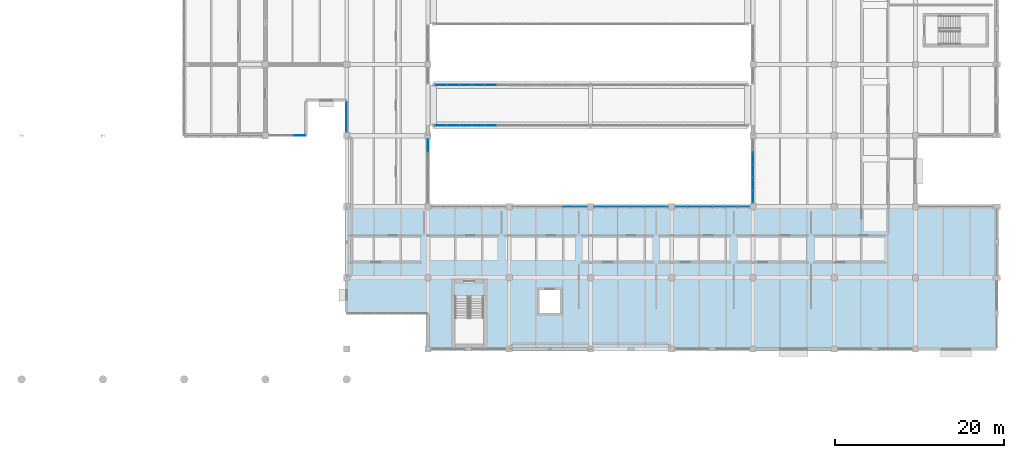
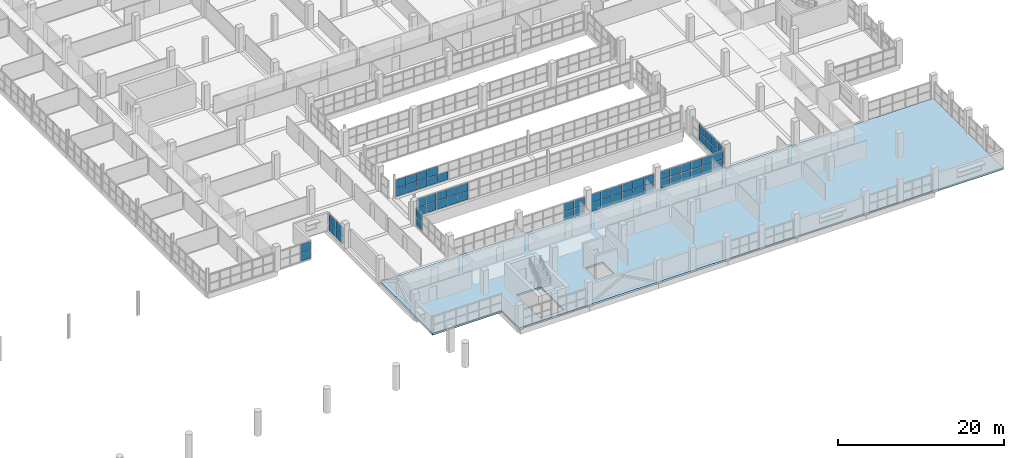
# One storey, part 99 of 147: 63 plates, 1 slab, 9 elements without a shape of their own.
"""IFC4 building model written with IfcOpenShell, lengths in metres."""

from ifc_helpers import new_model, si_unit, direction, frame, origin, origin_2d, place, context, subcontext, project, spatial, polyline, rectangle, outline, extrude, material, layer, layer_set, type_object, element, aggregate, save


model = new_model("IFC4")

# Units and contexts
model_context = context("Model", 3, precision=1e-05, world=origin(), true_north=direction((0.0, 1.0)))
body_context = subcontext(model_context, "Body", "Model", "MODEL_VIEW")
ifc_project = project(units=[si_unit("LENGTHUNIT", "METRE"), si_unit("AREAUNIT", "SQUARE_METRE"), si_unit("VOLUMEUNIT", "CUBIC_METRE"), si_unit("PLANEANGLEUNIT", "RADIAN"), si_unit("MASSUNIT", "GRAM", prefix="KILO")], contexts=[model_context])

# Site, building, storey
site_placement = place(None, origin())
site = spatial("IfcSite", under=ifc_project, at=site_placement, CompositionType="ELEMENT")
building_placement = place(site_placement, origin())
building = spatial("IfcBuilding", under=site, at=building_placement, Name="Oolite Switchyard Hospital", CompositionType="ELEMENT")
storey_placement = place(building_placement, frame((0.0, 0.0, 9.89990234375)))
storey = spatial("IfcBuildingStorey", under=building, at=storey_placement, Name="L02", CompositionType="ELEMENT", Elevation=9.89990234375)

# Curtain wall, plates
ifc_material_1 = material(Name="Thermally broken aluminum frame with laminated impact glazing", Category="aluminium")
curtain_wall_type_1 = type_object("IfcCurtainWallType", Name="CW-UNIT-96X36", PredefinedType="USERDEFINED", material=ifc_material_1)
curtain_wall_1_placement = place(storey_placement, origin())
curtain_wall_1 = element("IfcCurtainWall", 1, at=curtain_wall_1_placement, inside=storey, type_object=curtain_wall_type_1, Name="L02 Unitised Curtain Wall 218", ObjectType="UNITISED", PredefinedType="USERDEFINED")
ifc_material_2 = material(Name="Insulated fluoropolymer-coated aluminum spandrel panel", Category="aluminium")
ifc_layer_1 = layer(ifc_material_2, 0.054931640625)
ifc_layer_set_1 = layer_set([ifc_layer_1], Name="CW-PNL-SPN55")
plate_type_1 = type_object("IfcPlateType", Name="CW-PNL-SPN55", PredefinedType="CURTAIN_PANEL", material=ifc_layer_set_1)
plate_1_placement = place(storey_placement, frame((164.342529296875, 25.199951171875, 0.06005859375), z_axis=(0.0, 0.0, 1.0), x_axis=(1.0, 0.0, 0.0)))
plate_1 = element("IfcPlate", 2, at=plate_1_placement, type_object=plate_type_1, Name="CW-03 panel 1.1", PredefinedType="CURTAIN_PANEL", context=body_context, shape_type="SweptSolid", body=[
    extrude(rectangle(XDim=1.364990234375, YDim=0.054931640625, at=origin_2d()), origin(), (0.0, 0.0, 1.0), 1.195068359375),
])
plate_2_placement = place(storey_placement, frame((164.342529296875, 25.199951171875, 1.31494140625), z_axis=(0.0, 0.0, 1.0), x_axis=(1.0, 0.0, 0.0)))
plate_2 = element("IfcPlate", 3, at=plate_2_placement, type_object=plate_type_1, Name="CW-03 panel 1.2", PredefinedType="CURTAIN_PANEL", context=body_context, shape_type="SweptSolid", body=[
    extrude(rectangle(XDim=1.364990234375, YDim=0.054931640625, at=origin_2d()), origin(), (0.0, 0.0, 1.0), 1.195068359375),
])
plate_3_placement = place(storey_placement, frame((165.794921875, 25.199951171875, 0.06005859375), z_axis=(0.0, 0.0, 1.0), x_axis=(1.0, 0.0, 0.0)))
plate_3 = element("IfcPlate", 4, at=plate_3_placement, type_object=plate_type_1, Name="CW-03 panel 2.1", PredefinedType="CURTAIN_PANEL", context=body_context, shape_type="SweptSolid", body=[
    extrude(rectangle(XDim=1.39990234375, YDim=0.054931640625, at=origin_2d()), origin(), (0.0, 0.0, 1.0), 1.195068359375),
])
plate_4_placement = place(storey_placement, frame((165.794921875, 25.199951171875, 1.31494140625), z_axis=(0.0, 0.0, 1.0), x_axis=(1.0, 0.0, 0.0)))
plate_4 = element("IfcPlate", 5, at=plate_4_placement, type_object=plate_type_1, Name="CW-03 panel 2.2", PredefinedType="CURTAIN_PANEL", context=body_context, shape_type="SweptSolid", body=[
    extrude(rectangle(XDim=1.39990234375, YDim=0.054931640625, at=origin_2d()), origin(), (0.0, 0.0, 1.0), 1.195068359375),
])
plate_5_placement = place(storey_placement, frame((167.264892578125, 25.199951171875, 0.06005859375), z_axis=(0.0, 0.0, 1.0), x_axis=(1.0, 0.0, 0.0)))
plate_5 = element("IfcPlate", 6, at=plate_5_placement, type_object=plate_type_1, Name="CW-03 panel 3.1", PredefinedType="CURTAIN_PANEL", context=body_context, shape_type="SweptSolid", body=[
    extrude(rectangle(XDim=1.39990234375, YDim=0.054931640625, at=origin_2d()), origin(), (0.0, 0.0, 1.0), 1.195068359375),
])
plate_6_placement = place(storey_placement, frame((167.264892578125, 25.199951171875, 1.31494140625), z_axis=(0.0, 0.0, 1.0), x_axis=(1.0, 0.0, 0.0)))
plate_6 = element("IfcPlate", 7, at=plate_6_placement, type_object=plate_type_1, Name="CW-03 panel 3.2", PredefinedType="CURTAIN_PANEL", context=body_context, shape_type="SweptSolid", body=[
    extrude(rectangle(XDim=1.39990234375, YDim=0.054931640625, at=origin_2d()), origin(), (0.0, 0.0, 1.0), 1.195068359375),
])
plate_7_placement = place(storey_placement, frame((168.735107421875, 25.199951171875, 0.06005859375), z_axis=(0.0, 0.0, 1.0), x_axis=(1.0, 0.0, 0.0)))
plate_7 = element("IfcPlate", 8, at=plate_7_placement, type_object=plate_type_1, Name="CW-03 panel 4.1", PredefinedType="CURTAIN_PANEL", context=body_context, shape_type="SweptSolid", body=[
    extrude(rectangle(XDim=1.39990234375, YDim=0.054931640625, at=origin_2d()), origin(), (0.0, 0.0, 1.0), 1.195068359375),
])
plate_8_placement = place(storey_placement, frame((168.735107421875, 25.199951171875, 1.31494140625), z_axis=(0.0, 0.0, 1.0), x_axis=(1.0, 0.0, 0.0)))
plate_8 = element("IfcPlate", 9, at=plate_8_placement, type_object=plate_type_1, Name="CW-03 panel 4.2", PredefinedType="CURTAIN_PANEL", context=body_context, shape_type="SweptSolid", body=[
    extrude(rectangle(XDim=1.39990234375, YDim=0.054931640625, at=origin_2d()), origin(), (0.0, 0.0, 1.0), 1.195068359375),
])
plate_9_placement = place(storey_placement, frame((170.205078125, 25.199951171875, 0.06005859375), z_axis=(0.0, 0.0, 1.0), x_axis=(1.0, 0.0, 0.0)))
plate_9 = element("IfcPlate", 10, at=plate_9_placement, type_object=plate_type_1, Name="CW-03 panel 5.1", PredefinedType="CURTAIN_PANEL", context=body_context, shape_type="SweptSolid", body=[
    extrude(rectangle(XDim=1.39990234375, YDim=0.054931640625, at=origin_2d()), origin(), (0.0, 0.0, 1.0), 1.195068359375),
])
plate_10_placement = place(storey_placement, frame((170.205078125, 25.199951171875, 1.31494140625), z_axis=(0.0, 0.0, 1.0), x_axis=(1.0, 0.0, 0.0)))
plate_10 = element("IfcPlate", 11, at=plate_10_placement, type_object=plate_type_1, Name="CW-03 panel 5.2", PredefinedType="CURTAIN_PANEL", context=body_context, shape_type="SweptSolid", body=[
    extrude(rectangle(XDim=1.39990234375, YDim=0.054931640625, at=origin_2d()), origin(), (0.0, 0.0, 1.0), 1.195068359375),
])
plate_11_placement = place(storey_placement, frame((171.657470703125, 25.199951171875, 0.06005859375), z_axis=(0.0, 0.0, 1.0), x_axis=(1.0, 0.0, 0.0)))
plate_11 = element("IfcPlate", 12, at=plate_11_placement, type_object=plate_type_1, Name="CW-03 panel 6.1", PredefinedType="CURTAIN_PANEL", context=body_context, shape_type="SweptSolid", body=[
    extrude(rectangle(XDim=1.364990234375, YDim=0.054931640625, at=origin_2d()), origin(), (0.0, 0.0, 1.0), 1.195068359375),
])
plate_12_placement = place(storey_placement, frame((171.657470703125, 25.199951171875, 1.31494140625), z_axis=(0.0, 0.0, 1.0), x_axis=(1.0, 0.0, 0.0)))
plate_12 = element("IfcPlate", 13, at=plate_12_placement, type_object=plate_type_1, Name="CW-03 panel 6.2", PredefinedType="CURTAIN_PANEL", context=body_context, shape_type="SweptSolid", body=[
    extrude(rectangle(XDim=1.364990234375, YDim=0.054931640625, at=origin_2d()), origin(), (0.0, 0.0, 1.0), 1.195068359375),
])
aggregate(curtain_wall_1, [plate_1, plate_2, plate_3, plate_4, plate_5, plate_6, plate_7, plate_8, plate_9, plate_10, plate_11, plate_12])

curtain_wall_type_2 = type_object("IfcCurtainWallType", Name="CW-UNIT-84X36", PredefinedType="USERDEFINED", material=ifc_material_1)
curtain_wall_2_placement = place(storey_placement, origin())
curtain_wall_2 = element("IfcCurtainWall", 14, at=curtain_wall_2_placement, inside=storey, type_object=curtain_wall_type_2, Name="L02 Unitised Curtain Wall 226", ObjectType="UNITISED", PredefinedType="USERDEFINED")
plate_13_placement = place(storey_placement, frame((128.85009765625, 33.60009765625, 0.06005859375), z_axis=(0.0, 0.0, 1.0), x_axis=(-1.0, 0.0, 0.0)))
plate_13 = element("IfcPlate", 15, at=plate_13_placement, type_object=plate_type_1, Name="CW-08 panel 1.1", PredefinedType="CURTAIN_PANEL", context=body_context, shape_type="SweptSolid", body=[
    extrude(rectangle(XDim=1.3798828125, YDim=0.054931640625, at=origin_2d()), origin(), (0.0, 0.0, 1.0), 1.195068359375),
])
plate_14_placement = place(storey_placement, frame((128.85009765625, 33.60009765625, 1.31494140625), z_axis=(0.0, 0.0, 1.0), x_axis=(-1.0, 0.0, 0.0)))
plate_14 = element("IfcPlate", 16, at=plate_14_placement, type_object=plate_type_1, Name="CW-08 panel 1.2", PredefinedType="CURTAIN_PANEL", context=body_context, shape_type="SweptSolid", body=[
    extrude(rectangle(XDim=1.3798828125, YDim=0.054931640625, at=origin_2d()), origin(), (0.0, 0.0, 1.0), 1.195068359375),
])
aggregate(curtain_wall_2, [plate_13, plate_14])

curtain_wall_type_3 = type_object("IfcCurtainWallType", Name="CW-BRG-96X38", PredefinedType="USERDEFINED", material=ifc_material_1)
curtain_wall_3_placement = place(storey_placement, origin())
curtain_wall_3 = element("IfcCurtainWall", 17, at=curtain_wall_3_placement, inside=storey, type_object=curtain_wall_type_3, Name="L02 Unitised Curtain Wall 232", ObjectType="UNITISED", PredefinedType="USERDEFINED")
plate_15_placement = place(storey_placement, frame((145.541015625, 39.60009765625, 0.06005859375), z_axis=(0.0, 0.0, 1.0), x_axis=(1.0, 0.0, 0.0)))
plate_15 = element("IfcPlate", 18, at=plate_15_placement, type_object=plate_type_1, Name="CW-12 panel 1.1", PredefinedType="CURTAIN_PANEL", context=body_context, shape_type="SweptSolid", body=[
    extrude(rectangle(XDim=1.3779296875, YDim=0.054931640625, at=origin_2d()), origin(), (0.0, 0.0, 1.0), 1.195068359375),
])
plate_16_placement = place(storey_placement, frame((145.541015625, 39.60009765625, 1.31494140625), z_axis=(0.0, 0.0, 1.0), x_axis=(1.0, 0.0, 0.0)))
plate_16 = element("IfcPlate", 19, at=plate_16_placement, type_object=plate_type_1, Name="CW-12 panel 1.2", PredefinedType="CURTAIN_PANEL", context=body_context, shape_type="SweptSolid", body=[
    extrude(rectangle(XDim=1.3779296875, YDim=0.054931640625, at=origin_2d()), origin(), (0.0, 0.0, 1.0), 1.195068359375),
])
plate_17_placement = place(storey_placement, frame((146.993896484375, 39.60009765625, 0.06005859375), z_axis=(0.0, 0.0, 1.0), x_axis=(1.0, 0.0, 0.0)))
plate_17 = element("IfcPlate", 20, at=plate_17_placement, type_object=plate_type_1, Name="CW-12 panel 2.1", PredefinedType="CURTAIN_PANEL", context=body_context, shape_type="SweptSolid", body=[
    extrude(rectangle(XDim=1.407958984375, YDim=0.054931640625, at=origin_2d()), origin(), (0.0, 0.0, 1.0), 1.195068359375),
])
plate_18_placement = place(storey_placement, frame((146.993896484375, 39.60009765625, 1.31494140625), z_axis=(0.0, 0.0, 1.0), x_axis=(1.0, 0.0, 0.0)))
plate_18 = element("IfcPlate", 21, at=plate_18_placement, type_object=plate_type_1, Name="CW-12 panel 2.2", PredefinedType="CURTAIN_PANEL", context=body_context, shape_type="SweptSolid", body=[
    extrude(rectangle(XDim=1.407958984375, YDim=0.054931640625, at=origin_2d()), origin(), (0.0, 0.0, 1.0), 1.195068359375),
])
plate_19_placement = place(storey_placement, frame((148.4619140625, 39.60009765625, 0.06005859375), z_axis=(0.0, 0.0, 1.0), x_axis=(1.0, 0.0, 0.0)))
plate_19 = element("IfcPlate", 22, at=plate_19_placement, type_object=plate_type_1, Name="CW-12 panel 3.1", PredefinedType="CURTAIN_PANEL", context=body_context, shape_type="SweptSolid", body=[
    extrude(rectangle(XDim=1.407958984375, YDim=0.054931640625, at=origin_2d()), origin(), (0.0, 0.0, 1.0), 1.195068359375),
])
plate_20_placement = place(storey_placement, frame((148.4619140625, 39.60009765625, 1.31494140625), z_axis=(0.0, 0.0, 1.0), x_axis=(1.0, 0.0, 0.0)))
plate_20 = element("IfcPlate", 23, at=plate_20_placement, type_object=plate_type_1, Name="CW-12 panel 3.2", PredefinedType="CURTAIN_PANEL", context=body_context, shape_type="SweptSolid", body=[
    extrude(rectangle(XDim=1.407958984375, YDim=0.054931640625, at=origin_2d()), origin(), (0.0, 0.0, 1.0), 1.195068359375),
])
plate_21_placement = place(storey_placement, frame((149.929931640625, 39.60009765625, 0.06005859375), z_axis=(0.0, 0.0, 1.0), x_axis=(1.0, 0.0, 0.0)))
plate_21 = element("IfcPlate", 24, at=plate_21_placement, type_object=plate_type_1, Name="CW-12 panel 4.1", PredefinedType="CURTAIN_PANEL", context=body_context, shape_type="SweptSolid", body=[
    extrude(rectangle(XDim=1.407958984375, YDim=0.054931640625, at=origin_2d()), origin(), (0.0, 0.0, 1.0), 1.195068359375),
])
plate_22_placement = place(storey_placement, frame((149.929931640625, 39.60009765625, 1.31494140625), z_axis=(0.0, 0.0, 1.0), x_axis=(1.0, 0.0, 0.0)))
plate_22 = element("IfcPlate", 25, at=plate_22_placement, type_object=plate_type_1, Name="CW-12 panel 4.2", PredefinedType="CURTAIN_PANEL", context=body_context, shape_type="SweptSolid", body=[
    extrude(rectangle(XDim=1.407958984375, YDim=0.054931640625, at=origin_2d()), origin(), (0.0, 0.0, 1.0), 1.195068359375),
])
plate_23_placement = place(storey_placement, frame((151.39794921875, 39.60009765625, 0.06005859375), z_axis=(0.0, 0.0, 1.0), x_axis=(1.0, 0.0, 0.0)))
plate_23 = element("IfcPlate", 26, at=plate_23_placement, type_object=plate_type_1, Name="CW-12 panel 5.1", PredefinedType="CURTAIN_PANEL", context=body_context, shape_type="SweptSolid", body=[
    extrude(rectangle(XDim=1.407958984375, YDim=0.054931640625, at=origin_2d()), origin(), (0.0, 0.0, 1.0), 1.195068359375),
])
aggregate(curtain_wall_3, [plate_15, plate_16, plate_17, plate_18, plate_19, plate_20, plate_21, plate_22, plate_23])

curtain_wall_4_placement = place(storey_placement, origin())
curtain_wall_4 = element("IfcCurtainWall", 27, at=curtain_wall_4_placement, inside=storey, type_object=curtain_wall_type_2, Name="L02 Unitised Curtain Wall 297", ObjectType="UNITISED", PredefinedType="USERDEFINED")
plate_24_placement = place(storey_placement, frame((134.39990234375, 34.921142578125, 0.0751953125), z_axis=(0.0, 0.0, 1.0), x_axis=(0.0, 1.0, 0.0)))
plate_24 = element("IfcPlate", 28, at=plate_24_placement, type_object=plate_type_1, Name="CW-08 panel 1.1", PredefinedType="CURTAIN_PANEL", context=body_context, shape_type="SweptSolid", body=[
    extrude(rectangle(XDim=1.71240234375, YDim=0.054931640625, at=origin_2d()), origin(), (0.0, 0.0, 1.0), 1.172607421875),
])
plate_25_placement = place(storey_placement, frame((134.39990234375, 34.921142578125, 1.32275390625), z_axis=(0.0, 0.0, 1.0), x_axis=(0.0, 1.0, 0.0)))
plate_25 = element("IfcPlate", 29, at=plate_25_placement, type_object=plate_type_1, Name="CW-08 panel 1.2", PredefinedType="CURTAIN_PANEL", context=body_context, shape_type="SweptSolid", body=[
    extrude(rectangle(XDim=1.71240234375, YDim=0.054931640625, at=origin_2d()), origin(), (0.0, 0.0, 1.0), 1.172607421875),
])
plate_26_placement = place(storey_placement, frame((134.39990234375, 36.708740234375, 0.0751953125), z_axis=(0.0, 0.0, 1.0), x_axis=(0.0, 1.0, 0.0)))
plate_26 = element("IfcPlate", 30, at=plate_26_placement, type_object=plate_type_1, Name="CW-08 panel 2.1", PredefinedType="CURTAIN_PANEL", context=body_context, shape_type="SweptSolid", body=[
    extrude(rectangle(XDim=1.71240234375, YDim=0.054931640625, at=origin_2d()), origin(), (0.0, 0.0, 1.0), 1.172607421875),
])
plate_27_placement = place(storey_placement, frame((134.39990234375, 36.708740234375, 1.32275390625), z_axis=(0.0, 0.0, 1.0), x_axis=(0.0, 1.0, 0.0)))
plate_27 = element("IfcPlate", 31, at=plate_27_placement, type_object=plate_type_1, Name="CW-08 panel 2.2", PredefinedType="CURTAIN_PANEL", context=body_context, shape_type="SweptSolid", body=[
    extrude(rectangle(XDim=1.71240234375, YDim=0.054931640625, at=origin_2d()), origin(), (0.0, 0.0, 1.0), 1.172607421875),
])
aggregate(curtain_wall_4, [plate_24, plate_25, plate_26, plate_27])

curtain_wall_5_placement = place(storey_placement, origin())
curtain_wall_5 = element("IfcCurtainWall", 32, at=curtain_wall_5_placement, inside=storey, type_object=curtain_wall_type_1, Name="L02 Unitised Curtain Wall 219", ObjectType="UNITISED", PredefinedType="USERDEFINED")
ifc_material_3 = material(Name="Laminated hurricane-impact insulated glazing unit", Category="glass")
ifc_layer_2 = layer(ifc_material_3, 0.028076171875)
ifc_layer_set_2 = layer_set([ifc_layer_2], Name="CW-PNL-VIS28")
plate_type_2 = type_object("IfcPlateType", Name="CW-PNL-VIS28", PredefinedType="CURTAIN_PANEL", material=ifc_layer_set_2)
plate_28_placement = place(storey_placement, frame((173.94384765625, 25.199951171875, 0.0751953125), z_axis=(0.0, 0.0, 1.0), x_axis=(1.0, 0.0, 0.0)))
plate_28 = element("IfcPlate", 33, at=plate_28_placement, type_object=plate_type_2, Name="CW-03 panel 1.1", PredefinedType="CURTAIN_PANEL", context=body_context, shape_type="SweptSolid", body=[
    extrude(rectangle(XDim=1.357421875, YDim=0.028076171875, at=origin_2d()), origin(), (0.0, 0.0, 1.0), 1.172607421875),
])
plate_29_placement = place(storey_placement, frame((173.94384765625, 25.199951171875, 1.32275390625), z_axis=(0.0, 0.0, 1.0), x_axis=(1.0, 0.0, 0.0)))
plate_29 = element("IfcPlate", 34, at=plate_29_placement, type_object=plate_type_2, Name="CW-03 panel 1.2", PredefinedType="CURTAIN_PANEL", context=body_context, shape_type="SweptSolid", body=[
    extrude(rectangle(XDim=1.357421875, YDim=0.028076171875, at=origin_2d()), origin(), (0.0, 0.0, 1.0), 1.172607421875),
])
plate_30_placement = place(storey_placement, frame((175.39501953125, 25.199951171875, 0.0751953125), z_axis=(0.0, 0.0, 1.0), x_axis=(1.0, 0.0, 0.0)))
plate_30 = element("IfcPlate", 35, at=plate_30_placement, type_object=plate_type_2, Name="CW-03 panel 2.1", PredefinedType="CURTAIN_PANEL", context=body_context, shape_type="SweptSolid", body=[
    extrude(rectangle(XDim=1.39501953125, YDim=0.028076171875, at=origin_2d()), origin(), (0.0, 0.0, 1.0), 1.172607421875),
])
plate_31_placement = place(storey_placement, frame((175.39501953125, 25.199951171875, 1.32275390625), z_axis=(0.0, 0.0, 1.0), x_axis=(1.0, 0.0, 0.0)))
plate_31 = element("IfcPlate", 36, at=plate_31_placement, type_object=plate_type_2, Name="CW-03 panel 2.2", PredefinedType="CURTAIN_PANEL", context=body_context, shape_type="SweptSolid", body=[
    extrude(rectangle(XDim=1.39501953125, YDim=0.028076171875, at=origin_2d()), origin(), (0.0, 0.0, 1.0), 1.172607421875),
])
plate_32_placement = place(storey_placement, frame((176.864990234375, 25.199951171875, 0.0751953125), z_axis=(0.0, 0.0, 1.0), x_axis=(1.0, 0.0, 0.0)))
plate_32 = element("IfcPlate", 37, at=plate_32_placement, type_object=plate_type_2, Name="CW-03 panel 3.1", PredefinedType="CURTAIN_PANEL", context=body_context, shape_type="SweptSolid", body=[
    extrude(rectangle(XDim=1.39501953125, YDim=0.028076171875, at=origin_2d()), origin(), (0.0, 0.0, 1.0), 1.172607421875),
])
plate_33_placement = place(storey_placement, frame((176.864990234375, 25.199951171875, 1.32275390625), z_axis=(0.0, 0.0, 1.0), x_axis=(1.0, 0.0, 0.0)))
plate_33 = element("IfcPlate", 38, at=plate_33_placement, type_object=plate_type_2, Name="CW-03 panel 3.2", PredefinedType="CURTAIN_PANEL", context=body_context, shape_type="SweptSolid", body=[
    extrude(rectangle(XDim=1.39501953125, YDim=0.028076171875, at=origin_2d()), origin(), (0.0, 0.0, 1.0), 1.172607421875),
])
plate_34_placement = place(storey_placement, frame((178.3349609375, 25.199951171875, 0.0751953125), z_axis=(0.0, 0.0, 1.0), x_axis=(1.0, 0.0, 0.0)))
plate_34 = element("IfcPlate", 39, at=plate_34_placement, type_object=plate_type_2, Name="CW-03 panel 4.1", PredefinedType="CURTAIN_PANEL", context=body_context, shape_type="SweptSolid", body=[
    extrude(rectangle(XDim=1.39501953125, YDim=0.028076171875, at=origin_2d()), origin(), (0.0, 0.0, 1.0), 1.172607421875),
])
plate_35_placement = place(storey_placement, frame((178.3349609375, 25.199951171875, 1.32275390625), z_axis=(0.0, 0.0, 1.0), x_axis=(1.0, 0.0, 0.0)))
plate_35 = element("IfcPlate", 40, at=plate_35_placement, type_object=plate_type_2, Name="CW-03 panel 4.2", PredefinedType="CURTAIN_PANEL", context=body_context, shape_type="SweptSolid", body=[
    extrude(rectangle(XDim=1.39501953125, YDim=0.028076171875, at=origin_2d()), origin(), (0.0, 0.0, 1.0), 1.172607421875),
])
plate_36_placement = place(storey_placement, frame((179.804931640625, 25.199951171875, 0.0751953125), z_axis=(0.0, 0.0, 1.0), x_axis=(1.0, 0.0, 0.0)))
plate_36 = element("IfcPlate", 41, at=plate_36_placement, type_object=plate_type_2, Name="CW-03 panel 5.1", PredefinedType="CURTAIN_PANEL", context=body_context, shape_type="SweptSolid", body=[
    extrude(rectangle(XDim=1.39501953125, YDim=0.028076171875, at=origin_2d()), origin(), (0.0, 0.0, 1.0), 1.172607421875),
])
plate_37_placement = place(storey_placement, frame((179.804931640625, 25.199951171875, 1.32275390625), z_axis=(0.0, 0.0, 1.0), x_axis=(1.0, 0.0, 0.0)))
plate_37 = element("IfcPlate", 42, at=plate_37_placement, type_object=plate_type_2, Name="CW-03 panel 5.2", PredefinedType="CURTAIN_PANEL", context=body_context, shape_type="SweptSolid", body=[
    extrude(rectangle(XDim=1.39501953125, YDim=0.028076171875, at=origin_2d()), origin(), (0.0, 0.0, 1.0), 1.172607421875),
])
plate_38_placement = place(storey_placement, frame((181.25634765625, 25.199951171875, 0.0751953125), z_axis=(0.0, 0.0, 1.0), x_axis=(1.0, 0.0, 0.0)))
plate_38 = element("IfcPlate", 43, at=plate_38_placement, type_object=plate_type_2, Name="CW-03 panel 6.1", PredefinedType="CURTAIN_PANEL", context=body_context, shape_type="SweptSolid", body=[
    extrude(rectangle(XDim=1.357421875, YDim=0.028076171875, at=origin_2d()), origin(), (0.0, 0.0, 1.0), 1.172607421875),
])
plate_39_placement = place(storey_placement, frame((181.25634765625, 25.199951171875, 1.32275390625), z_axis=(0.0, 0.0, 1.0), x_axis=(1.0, 0.0, 0.0)))
plate_39 = element("IfcPlate", 44, at=plate_39_placement, type_object=plate_type_2, Name="CW-03 panel 6.2", PredefinedType="CURTAIN_PANEL", context=body_context, shape_type="SweptSolid", body=[
    extrude(rectangle(XDim=1.357421875, YDim=0.028076171875, at=origin_2d()), origin(), (0.0, 0.0, 1.0), 1.172607421875),
])
aggregate(curtain_wall_5, [plate_28, plate_29, plate_30, plate_31, plate_32, plate_33, plate_34, plate_35, plate_36, plate_37, plate_38, plate_39])

curtain_wall_6_placement = place(storey_placement, origin())
curtain_wall_6 = element("IfcCurtainWall", 45, at=curtain_wall_6_placement, inside=storey, type_object=curtain_wall_type_2, Name="L02 Unitised Curtain Wall 301", ObjectType="UNITISED", PredefinedType="USERDEFINED")
ifc_layer_3 = layer(ifc_material_3, 0.031982421875)
ifc_layer_set_3 = layer_set([ifc_layer_3], Name="CW-PNL-VIS32")
plate_type_3 = type_object("IfcPlateType", Name="CW-PNL-VIS32", PredefinedType="CURTAIN_PANEL", material=ifc_layer_set_3)
plate_40_placement = place(storey_placement, frame((144.0, 32.43310546875, 0.0751953125), z_axis=(0.0, 0.0, 1.0), x_axis=(0.0, -1.0, 0.0)))
plate_40 = element("IfcPlate", 46, at=plate_40_placement, type_object=plate_type_3, Name="CW-08 panel 1.1", PredefinedType="CURTAIN_PANEL", context=body_context, shape_type="SweptSolid", body=[
    extrude(rectangle(XDim=1.43408203125, YDim=0.031982421875, at=origin_2d()), origin(), (0.0, 0.0, 1.0), 1.172607421875),
])
plate_41_placement = place(storey_placement, frame((144.0, 32.43310546875, 1.32275390625), z_axis=(0.0, 0.0, 1.0), x_axis=(0.0, -1.0, 0.0)))
plate_41 = element("IfcPlate", 47, at=plate_41_placement, type_object=plate_type_3, Name="CW-08 panel 1.2", PredefinedType="CURTAIN_PANEL", context=body_context, shape_type="SweptSolid", body=[
    extrude(rectangle(XDim=1.43408203125, YDim=0.031982421875, at=origin_2d()), origin(), (0.0, 0.0, 1.0), 1.172607421875),
])
aggregate(curtain_wall_6, [plate_40, plate_41])

curtain_wall_7_placement = place(storey_placement, origin())
curtain_wall_7 = element("IfcCurtainWall", 48, at=curtain_wall_7_placement, inside=storey, type_object=curtain_wall_type_3, Name="L02 Unitised Curtain Wall 228", ObjectType="UNITISED", PredefinedType="USERDEFINED")
ifc_layer_4 = layer(ifc_material_3, 0.035888671875)
ifc_layer_set_4 = layer_set([ifc_layer_4], Name="CW-PNL-VIS36")
plate_type_4 = type_object("IfcPlateType", Name="CW-PNL-VIS36", PredefinedType="CURTAIN_PANEL", material=ifc_layer_set_4)
plate_42_placement = place(storey_placement, frame((151.39794921875, 34.800048828125, 0.06005859375), z_axis=(0.0, 0.0, 1.0), x_axis=(-1.0, 0.0, 0.0)))
plate_42 = element("IfcPlate", 49, at=plate_42_placement, type_object=plate_type_4, Name="CW-12 panel 2.1", PredefinedType="CURTAIN_PANEL", context=body_context, shape_type="SweptSolid", body=[
    extrude(rectangle(XDim=1.39306640625, YDim=0.035888671875, at=origin_2d()), origin(), (0.0, 0.0, 1.0), 1.195068359375),
])
plate_43_placement = place(storey_placement, frame((151.39794921875, 34.800048828125, 1.31494140625), z_axis=(0.0, 0.0, 1.0), x_axis=(-1.0, 0.0, 0.0)))
plate_43 = element("IfcPlate", 50, at=plate_43_placement, type_object=plate_type_4, Name="CW-12 panel 2.2", PredefinedType="CURTAIN_PANEL", context=body_context, shape_type="SweptSolid", body=[
    extrude(rectangle(XDim=1.39306640625, YDim=0.035888671875, at=origin_2d()), origin(), (0.0, 0.0, 1.0), 1.195068359375),
])
plate_44_placement = place(storey_placement, frame((149.929931640625, 34.800048828125, 0.06005859375), z_axis=(0.0, 0.0, 1.0), x_axis=(-1.0, 0.0, 0.0)))
plate_44 = element("IfcPlate", 51, at=plate_44_placement, type_object=plate_type_4, Name="CW-12 panel 3.1", PredefinedType="CURTAIN_PANEL", context=body_context, shape_type="SweptSolid", body=[
    extrude(rectangle(XDim=1.39306640625, YDim=0.035888671875, at=origin_2d()), origin(), (0.0, 0.0, 1.0), 1.195068359375),
])
plate_45_placement = place(storey_placement, frame((149.929931640625, 34.800048828125, 1.31494140625), z_axis=(0.0, 0.0, 1.0), x_axis=(-1.0, 0.0, 0.0)))
plate_45 = element("IfcPlate", 52, at=plate_45_placement, type_object=plate_type_4, Name="CW-12 panel 3.2", PredefinedType="CURTAIN_PANEL", context=body_context, shape_type="SweptSolid", body=[
    extrude(rectangle(XDim=1.39306640625, YDim=0.035888671875, at=origin_2d()), origin(), (0.0, 0.0, 1.0), 1.195068359375),
])
plate_46_placement = place(storey_placement, frame((148.4619140625, 34.800048828125, 0.06005859375), z_axis=(0.0, 0.0, 1.0), x_axis=(-1.0, 0.0, 0.0)))
plate_46 = element("IfcPlate", 53, at=plate_46_placement, type_object=plate_type_4, Name="CW-12 panel 4.1", PredefinedType="CURTAIN_PANEL", context=body_context, shape_type="SweptSolid", body=[
    extrude(rectangle(XDim=1.39306640625, YDim=0.035888671875, at=origin_2d()), origin(), (0.0, 0.0, 1.0), 1.195068359375),
])
plate_47_placement = place(storey_placement, frame((148.4619140625, 34.800048828125, 1.31494140625), z_axis=(0.0, 0.0, 1.0), x_axis=(-1.0, 0.0, 0.0)))
plate_47 = element("IfcPlate", 54, at=plate_47_placement, type_object=plate_type_4, Name="CW-12 panel 4.2", PredefinedType="CURTAIN_PANEL", context=body_context, shape_type="SweptSolid", body=[
    extrude(rectangle(XDim=1.39306640625, YDim=0.035888671875, at=origin_2d()), origin(), (0.0, 0.0, 1.0), 1.195068359375),
])
plate_48_placement = place(storey_placement, frame((146.993896484375, 34.800048828125, 0.06005859375), z_axis=(0.0, 0.0, 1.0), x_axis=(-1.0, 0.0, 0.0)))
plate_48 = element("IfcPlate", 55, at=plate_48_placement, type_object=plate_type_4, Name="CW-12 panel 5.1", PredefinedType="CURTAIN_PANEL", context=body_context, shape_type="SweptSolid", body=[
    extrude(rectangle(XDim=1.39306640625, YDim=0.035888671875, at=origin_2d()), origin(), (0.0, 0.0, 1.0), 1.195068359375),
])
plate_49_placement = place(storey_placement, frame((146.993896484375, 34.800048828125, 1.31494140625), z_axis=(0.0, 0.0, 1.0), x_axis=(-1.0, 0.0, 0.0)))
plate_49 = element("IfcPlate", 56, at=plate_49_placement, type_object=plate_type_4, Name="CW-12 panel 5.2", PredefinedType="CURTAIN_PANEL", context=body_context, shape_type="SweptSolid", body=[
    extrude(rectangle(XDim=1.39306640625, YDim=0.035888671875, at=origin_2d()), origin(), (0.0, 0.0, 1.0), 1.195068359375),
])
plate_50_placement = place(storey_placement, frame((145.544677734375, 34.800048828125, 0.06005859375), z_axis=(0.0, 0.0, 1.0), x_axis=(-1.0, 0.0, 0.0)))
plate_50 = element("IfcPlate", 57, at=plate_50_placement, type_object=plate_type_4, Name="CW-12 panel 6.1", PredefinedType="CURTAIN_PANEL", context=body_context, shape_type="SweptSolid", body=[
    extrude(rectangle(XDim=1.35546875, YDim=0.035888671875, at=origin_2d()), origin(), (0.0, 0.0, 1.0), 1.195068359375),
])
plate_51_placement = place(storey_placement, frame((145.544677734375, 34.800048828125, 1.31494140625), z_axis=(0.0, 0.0, 1.0), x_axis=(-1.0, 0.0, 0.0)))
plate_51 = element("IfcPlate", 58, at=plate_51_placement, type_object=plate_type_4, Name="CW-12 panel 6.2", PredefinedType="CURTAIN_PANEL", context=body_context, shape_type="SweptSolid", body=[
    extrude(rectangle(XDim=1.35546875, YDim=0.035888671875, at=origin_2d()), origin(), (0.0, 0.0, 1.0), 1.195068359375),
])
aggregate(curtain_wall_7, [plate_42, plate_43, plate_44, plate_45, plate_46, plate_47, plate_48, plate_49, plate_50, plate_51])

curtain_wall_8_placement = place(storey_placement, origin())
curtain_wall_8 = element("IfcCurtainWall", 59, at=curtain_wall_8_placement, inside=storey, type_object=curtain_wall_type_2, Name="L02 Unitised Curtain Wall 307", ObjectType="UNITISED", PredefinedType="USERDEFINED")
plate_52_placement = place(storey_placement, frame((182.39990234375, 26.366943359375, 0.0751953125), z_axis=(0.0, 0.0, 1.0), x_axis=(0.0, 1.0, 0.0)))
plate_52 = element("IfcPlate", 60, at=plate_52_placement, type_object=plate_type_4, Name="CW-08 panel 1.1", PredefinedType="CURTAIN_PANEL", context=body_context, shape_type="SweptSolid", body=[
    extrude(rectangle(XDim=1.43408203125, YDim=0.035888671875, at=origin_2d()), origin(), (0.0, 0.0, 1.0), 1.172607421875),
])
plate_53_placement = place(storey_placement, frame((182.39990234375, 26.366943359375, 1.32275390625), z_axis=(0.0, 0.0, 1.0), x_axis=(0.0, 1.0, 0.0)))
plate_53 = element("IfcPlate", 61, at=plate_53_placement, type_object=plate_type_4, Name="CW-08 panel 1.2", PredefinedType="CURTAIN_PANEL", context=body_context, shape_type="SweptSolid", body=[
    extrude(rectangle(XDim=1.43408203125, YDim=0.035888671875, at=origin_2d()), origin(), (0.0, 0.0, 1.0), 1.172607421875),
])
plate_54_placement = place(storey_placement, frame((182.39990234375, 27.8759765625, 0.0751953125), z_axis=(0.0, 0.0, 1.0), x_axis=(0.0, 1.0, 0.0)))
plate_54 = element("IfcPlate", 62, at=plate_54_placement, type_object=plate_type_4, Name="CW-08 panel 2.1", PredefinedType="CURTAIN_PANEL", context=body_context, shape_type="SweptSolid", body=[
    extrude(rectangle(XDim=1.464111328125, YDim=0.035888671875, at=origin_2d()), origin(), (0.0, 0.0, 1.0), 1.172607421875),
])
plate_55_placement = place(storey_placement, frame((182.39990234375, 27.8759765625, 1.32275390625), z_axis=(0.0, 0.0, 1.0), x_axis=(0.0, 1.0, 0.0)))
plate_55 = element("IfcPlate", 63, at=plate_55_placement, type_object=plate_type_4, Name="CW-08 panel 2.2", PredefinedType="CURTAIN_PANEL", context=body_context, shape_type="SweptSolid", body=[
    extrude(rectangle(XDim=1.464111328125, YDim=0.035888671875, at=origin_2d()), origin(), (0.0, 0.0, 1.0), 1.172607421875),
])
plate_56_placement = place(storey_placement, frame((182.39990234375, 29.39990234375, 0.0751953125), z_axis=(0.0, 0.0, 1.0), x_axis=(0.0, 1.0, 0.0)))
plate_56 = element("IfcPlate", 64, at=plate_56_placement, type_object=plate_type_4, Name="CW-08 panel 3.1", PredefinedType="CURTAIN_PANEL", context=body_context, shape_type="SweptSolid", body=[
    extrude(rectangle(XDim=1.464111328125, YDim=0.035888671875, at=origin_2d()), origin(), (0.0, 0.0, 1.0), 1.172607421875),
])
plate_57_placement = place(storey_placement, frame((182.39990234375, 29.39990234375, 1.32275390625), z_axis=(0.0, 0.0, 1.0), x_axis=(0.0, 1.0, 0.0)))
plate_57 = element("IfcPlate", 65, at=plate_57_placement, type_object=plate_type_4, Name="CW-08 panel 3.2", PredefinedType="CURTAIN_PANEL", context=body_context, shape_type="SweptSolid", body=[
    extrude(rectangle(XDim=1.464111328125, YDim=0.035888671875, at=origin_2d()), origin(), (0.0, 0.0, 1.0), 1.172607421875),
])
plate_58_placement = place(storey_placement, frame((182.39990234375, 30.924072265625, 0.0751953125), z_axis=(0.0, 0.0, 1.0), x_axis=(0.0, 1.0, 0.0)))
plate_58 = element("IfcPlate", 66, at=plate_58_placement, type_object=plate_type_4, Name="CW-08 panel 4.1", PredefinedType="CURTAIN_PANEL", context=body_context, shape_type="SweptSolid", body=[
    extrude(rectangle(XDim=1.464111328125, YDim=0.035888671875, at=origin_2d()), origin(), (0.0, 0.0, 1.0), 1.172607421875),
])
plate_59_placement = place(storey_placement, frame((182.39990234375, 30.924072265625, 1.32275390625), z_axis=(0.0, 0.0, 1.0), x_axis=(0.0, 1.0, 0.0)))
plate_59 = element("IfcPlate", 67, at=plate_59_placement, type_object=plate_type_4, Name="CW-08 panel 4.2", PredefinedType="CURTAIN_PANEL", context=body_context, shape_type="SweptSolid", body=[
    extrude(rectangle(XDim=1.464111328125, YDim=0.035888671875, at=origin_2d()), origin(), (0.0, 0.0, 1.0), 1.172607421875),
])
aggregate(curtain_wall_8, [plate_52, plate_53, plate_54, plate_55, plate_56, plate_57, plate_58, plate_59])

curtain_wall_9_placement = place(storey_placement, origin())
curtain_wall_9 = element("IfcCurtainWall", 68, at=curtain_wall_9_placement, inside=storey, type_object=curtain_wall_type_1, Name="L02 Unitised Curtain Wall 217", ObjectType="UNITISED", PredefinedType="USERDEFINED")
ifc_layer_5 = layer(ifc_material_3, 0.0419921875)
ifc_layer_set_5 = layer_set([ifc_layer_5], Name="CW-PNL-VIS42")
plate_type_5 = type_object("IfcPlateType", Name="CW-PNL-VIS42", PredefinedType="CURTAIN_PANEL", material=ifc_layer_set_5)
plate_60_placement = place(storey_placement, frame((160.60498046875, 25.199951171875, 0.0751953125), z_axis=(0.0, 0.0, 1.0), x_axis=(1.0, 0.0, 0.0)))
plate_60 = element("IfcPlate", 69, at=plate_60_placement, type_object=plate_type_5, Name="CW-03 panel 5.1", PredefinedType="CURTAIN_PANEL", context=body_context, shape_type="SweptSolid", body=[
    extrude(rectangle(XDim=1.409912109375, YDim=0.0419921875, at=origin_2d()), origin(), (0.0, 0.0, 1.0), 1.172607421875),
])
plate_61_placement = place(storey_placement, frame((160.60498046875, 25.199951171875, 1.32275390625), z_axis=(0.0, 0.0, 1.0), x_axis=(1.0, 0.0, 0.0)))
plate_61 = element("IfcPlate", 70, at=plate_61_placement, type_object=plate_type_5, Name="CW-03 panel 5.2", PredefinedType="CURTAIN_PANEL", context=body_context, shape_type="SweptSolid", body=[
    extrude(rectangle(XDim=1.409912109375, YDim=0.0419921875, at=origin_2d()), origin(), (0.0, 0.0, 1.0), 1.172607421875),
])
plate_62_placement = place(storey_placement, frame((162.06005859375, 25.199951171875, 0.0751953125), z_axis=(0.0, 0.0, 1.0), x_axis=(1.0, 0.0, 0.0)))
plate_62 = element("IfcPlate", 71, at=plate_62_placement, type_object=plate_type_5, Name="CW-03 panel 6.1", PredefinedType="CURTAIN_PANEL", context=body_context, shape_type="SweptSolid", body=[
    extrude(rectangle(XDim=1.3798828125, YDim=0.0419921875, at=origin_2d()), origin(), (0.0, 0.0, 1.0), 1.172607421875),
])
plate_63_placement = place(storey_placement, frame((162.06005859375, 25.199951171875, 1.32275390625), z_axis=(0.0, 0.0, 1.0), x_axis=(1.0, 0.0, 0.0)))
plate_63 = element("IfcPlate", 72, at=plate_63_placement, type_object=plate_type_5, Name="CW-03 panel 6.2", PredefinedType="CURTAIN_PANEL", context=body_context, shape_type="SweptSolid", body=[
    extrude(rectangle(XDim=1.3798828125, YDim=0.0419921875, at=origin_2d()), origin(), (0.0, 0.0, 1.0), 1.172607421875),
])
aggregate(curtain_wall_9, [plate_60, plate_61, plate_62, plate_63])

# Slab
ifc_material_4 = material(Name="Concrete C40/50", Category="concrete")
ifc_layer_6 = layer(ifc_material_4, 0.260009765625)
ifc_layer_set_6 = layer_set([ifc_layer_6], Name="SLB-INT-260")
slab_type = type_object("IfcSlabType", Name="SLB-INT-260", PredefinedType="FLOOR", material=ifc_layer_set_6)
slab_placement = place(storey_placement, frame((0.0, 0.0, -0.260009765625)))
element("IfcSlab", 73, at=slab_placement, inside=storey, type_object=slab_type, Name="L02 V6 Slab V6S", PredefinedType="FLOOR", context=body_context, shape_type="SweptSolid", body=[
    extrude(outline(polyline([(144.0, 8.39990234375), (211.199951171875, 8.39990234375), (211.199951171875, 25.199951171875), (134.39990234375, 25.199951171875), (134.39990234375, 12.60009765625), (144.0, 12.60009765625), (144.0, 8.39990234375)]), holes=[polyline([(147.199951171875, 14.590087890625), (147.199951171875, 9.0), (150.56005859375, 9.0), (150.56005859375, 14.590087890625), (147.199951171875, 14.590087890625)]), polyline([(157.199951171875, 12.64990234375), (159.60009765625, 12.64990234375), (159.60009765625, 15.35009765625), (157.199951171875, 15.35009765625), (157.199951171875, 12.64990234375)])]), origin(), (0.0, 0.0, 1.0), 0.260009765625),
])

save(model, "model.ifc")
